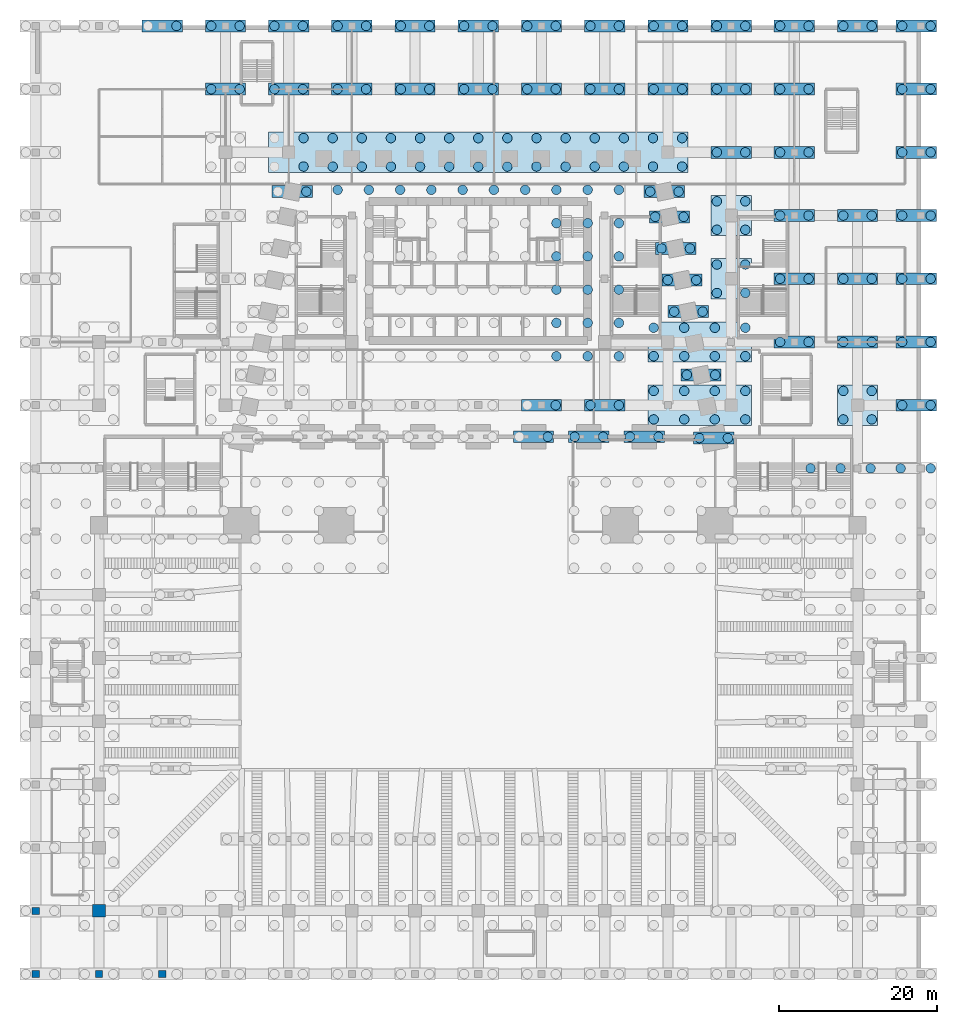
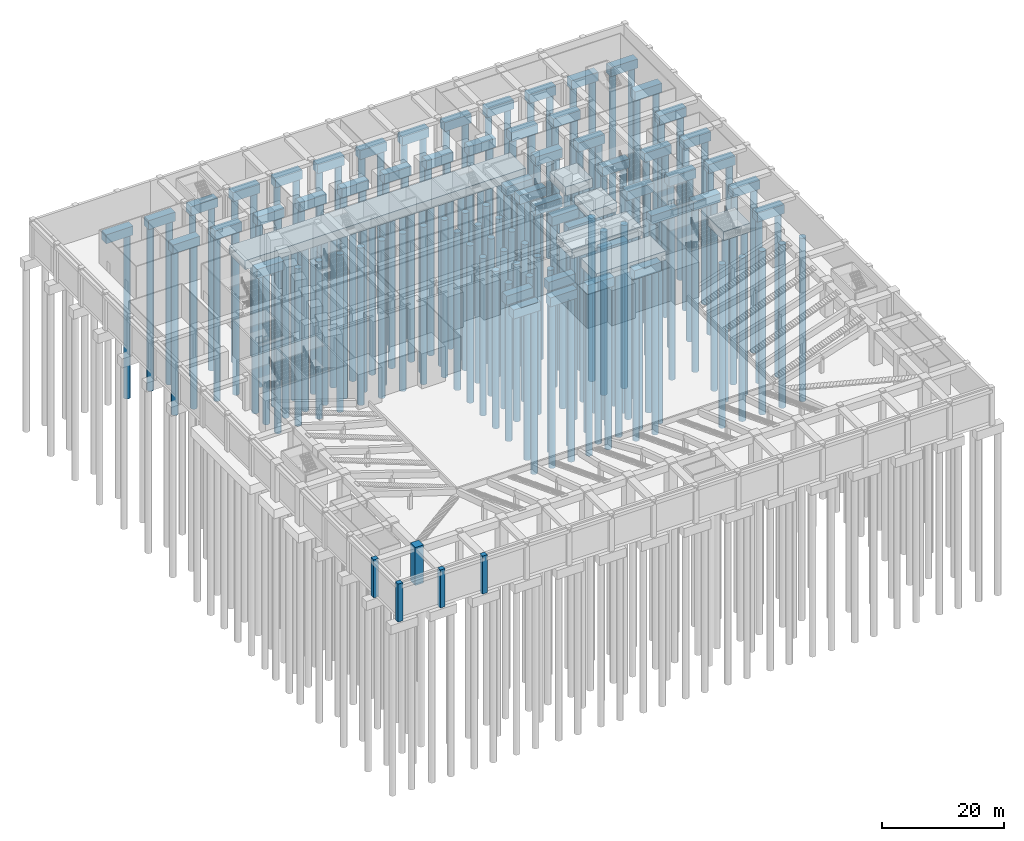
# One storey, part 3 of 30: 182 piles, 56 footings, 5 columns.
"""IFC4 building model written with IfcOpenShell, lengths in metres."""

from ifc_helpers import new_model, si_unit, direction, frame, origin, origin_2d, place, context, subcontext, project, spatial, rectangle, circle, extrude, material, material_profile, profile_set, type_object, element, save


model = new_model("IFC4")

# Units and contexts
model_context = context("Model", 3, precision=1e-05, world=origin(), true_north=direction((0.0, 1.0)))
body_context = subcontext(model_context, "Body", "Model", "MODEL_VIEW")
ifc_project = project(units=[si_unit("LENGTHUNIT", "METRE"), si_unit("AREAUNIT", "SQUARE_METRE"), si_unit("VOLUMEUNIT", "CUBIC_METRE"), si_unit("PLANEANGLEUNIT", "RADIAN"), si_unit("MASSUNIT", "GRAM", prefix="KILO")], contexts=[model_context])

# Site, building, storey
site_placement = place(None, origin())
site = spatial("IfcSite", under=ifc_project, at=site_placement, CompositionType="ELEMENT")
building_placement = place(site_placement, origin())
building = spatial("IfcBuilding", under=site, at=building_placement, Name="Isbrekke Arena Tower", CompositionType="ELEMENT")
storey_placement = place(building_placement, frame((0.0, 0.0, -7.0)))
storey = spatial("IfcBuildingStorey", under=building, at=storey_placement, Name="B1", CompositionType="ELEMENT", Elevation=-7.0)

# Piles
ifc_material_1 = material(Name="Concrete B45 (C45/55)", Category="concrete")
ifc_material_profile_1 = material_profile(ifc_material_1, circle(Radius=0.60009765625, at=origin_2d()), Name="BORED PILE D1200")
ifc_profile_set_1 = profile_set([ifc_material_profile_1], Name="Concrete B45 (C45/55)")
pile_type = type_object("IfcPileType", Name="P1 BORED PILE 1200", PredefinedType="BORED", material=ifc_profile_set_1)
for number, where, z_axis, x_axis, name in (
    (1, (42.050048828125, -10.0, -2.300048828125), (0.0, 0.0, -1.0), (1.0, 0.0, 0.0), "P1 pile CAP-063 1.5"),
    (2, (45.85009765625, -10.0, -2.300048828125), (0.0, 0.0, -1.0), (1.0, 0.0, 0.0), "P1 pile CAP-063 2.5"),
    (3, (49.64990234375, -10.0, -2.300048828125), (0.0, 0.0, -1.0), (1.0, 0.0, 0.0), "P1 pile CAP-063 3.5"),
    (4, (53.449951171875, -10.0, -2.300048828125), (0.0, 0.0, -1.0), (1.0, 0.0, 0.0), "P1 pile CAP-063 4.5"),
    (5, (57.25, -10.0, -2.300048828125), (0.0, 0.0, -1.0), (1.0, 0.0, 0.0), "P1 pile CAP-063 5.5"),
    (6, (27.990966796875, -6.161865234375, -2.300048828125), (0.0, 0.0, -1.0), (1.0, 0.0, 0.0), "P1 pile CAP-069 1.1"),
    (7, (31.591064453125, -6.161865234375, -2.300048828125), (0.0, 0.0, -1.0), (1.0, 0.0, 0.0), "P1 pile CAP-069 2.1"),
    (8, (8.800048828125, -6.0, -2.300048828125), (0.0, 0.0, -1.0), (1.0, 0.0, 0.0), "P1 pile CAP-074 2.1"),
    (9, (12.199951171875, -6.0, -2.300048828125), (0.0, 0.0, -1.0), (1.0, 0.0, 0.0), "P1 pile CAP-075 1.1"),
    (10, (15.800048828125, -6.0, -2.300048828125), (0.0, 0.0, -1.0), (1.0, 0.0, 0.0), "P1 pile CAP-075 2.1"),
    (11, (19.199951171875, -6.0, -2.300048828125), (0.0, 0.0, -1.0), (1.0, 0.0, 0.0), "P1 pile CAP-076 1.1"),
    (12, (22.800048828125, -6.0, -2.300048828125), (0.0, 0.0, -1.0), (1.0, 0.0, 0.0), "P1 pile CAP-076 2.1"),
    (13, (22.199951171875, -3.800048828125, -2.300048828125), (0.0, 0.0, -1.0), (1.0, 0.0, 0.0), "P1 pile CAP-079 1.1"),
    (14, (22.199951171875, -0.199951171875, -2.300048828125), (0.0, 0.0, -1.0), (1.0, 0.0, 0.0), "P1 pile CAP-079 1.2"),
    (15, (26.066650390625, -3.800048828125, -2.300048828125), (0.0, 0.0, -1.0), (1.0, 0.0, 0.0), "P1 pile CAP-079 2.1"),
    (16, (26.066650390625, -0.199951171875, -2.300048828125), (0.0, 0.0, -1.0), (1.0, 0.0, 0.0), "P1 pile CAP-079 2.2"),
    (17, (29.933349609375, -3.800048828125, -2.300048828125), (0.0, 0.0, -1.0), (1.0, 0.0, 0.0), "P1 pile CAP-079 3.1"),
    (18, (29.933349609375, -0.199951171875, -2.300048828125), (0.0, 0.0, -1.0), (1.0, 0.0, 0.0), "P1 pile CAP-079 3.2"),
    (19, (33.800048828125, -3.800048828125, -2.300048828125), (0.0, 0.0, -1.0), (1.0, 0.0, 0.0), "P1 pile CAP-079 4.1"),
    (20, (33.800048828125, -0.199951171875, -2.300048828125), (0.0, 0.0, -1.0), (1.0, 0.0, 0.0), "P1 pile CAP-079 4.2"),
    (21, (46.199951171875, -3.800048828125, -2.300048828125), (0.0, 0.0, -1.0), (1.0, 0.0, 0.0), "P1 pile CAP-080 1.1"),
    (22, (46.199951171875, -0.199951171875, -2.300048828125), (0.0, 0.0, -1.0), (1.0, 0.0, 0.0), "P1 pile CAP-080 1.2"),
    (23, (49.800048828125, -3.800048828125, -2.300048828125), (0.0, 0.0, -1.0), (1.0, 0.0, 0.0), "P1 pile CAP-080 2.1"),
    (24, (49.800048828125, -0.199951171875, -2.300048828125), (0.0, 0.0, -1.0), (1.0, 0.0, 0.0), "P1 pile CAP-080 2.2"),
    (25, (9.800048828125, -2.0, -2.300048828125), (0.0, 0.0, -1.0), (1.0, 0.0, 0.0), "P1 pile CAP-085 2.1"),
    (26, (14.199951171875, -2.0, -2.300048828125), (0.0, 0.0, -1.0), (1.0, 0.0, 0.0), "P1 pile CAP-086 1.1"),
    (27, (17.800048828125, -2.0, -2.300048828125), (0.0, 0.0, -1.0), (1.0, 0.0, 0.0), "P1 pile CAP-086 2.1"),
    (28, (53.64990234375, -2.0, -2.300048828125), (0.0, 0.0, -1.0), (1.0, 0.0, 0.0), "P1 pile CAP-087 1.1"),
    (29, (57.25, -2.0, -2.300048828125), (0.0, 0.0, -1.0), (1.0, 0.0, 0.0), "P1 pile CAP-087 2.1"),
    (30, (26.39111328125, 1.838134765625, -2.300048828125), (0.0, 0.0, -1.0), (1.0, 0.0, 0.0), "P1 pile CAP-089 1.1"),
    (31, (29.990966796875, 1.838134765625, -2.300048828125), (0.0, 0.0, -1.0), (1.0, 0.0, 0.0), "P1 pile CAP-089 2.1"),
):
    element("IfcPile", number, at=place(storey_placement, frame(where, z_axis=z_axis, x_axis=x_axis)), inside=storey, type_object=pile_type, Name=name, PredefinedType="BORED", context=body_context, shape_type="SweptSolid", body=[
        extrude(circle(Radius=0.60009765625, at=origin_2d()), origin(), (0.0, 0.0, 1.0), 32.699951171875),
    ])
for number, where, z_axis, x_axis, name in (
    (32, (-17.800048828125, 25.25, -3.5), (0.0, 0.0, -1.0), (1.0, 0.0, 0.0), "P1 pile CAP-092 1.6"),
    (33, (-13.844482421875, 25.25, -3.5), (0.0, 0.0, -1.0), (1.0, 0.0, 0.0), "P1 pile CAP-092 2.6"),
    (34, (-9.888916015625, 25.25, -3.5), (0.0, 0.0, -1.0), (1.0, 0.0, 0.0), "P1 pile CAP-092 3.6"),
    (35, (-5.933349609375, 25.25, -3.5), (0.0, 0.0, -1.0), (1.0, 0.0, 0.0), "P1 pile CAP-092 4.6"),
    (36, (-1.977783203125, 25.25, -3.5), (0.0, 0.0, -1.0), (1.0, 0.0, 0.0), "P1 pile CAP-092 5.6"),
    (37, (1.977783203125, 25.25, -3.5), (0.0, 0.0, -1.0), (1.0, 0.0, 0.0), "P1 pile CAP-092 6.6"),
    (38, (5.933349609375, 25.25, -3.5), (0.0, 0.0, -1.0), (1.0, 0.0, 0.0), "P1 pile CAP-092 7.6"),
    (39, (9.888916015625, 4.199951171875, -3.5), (0.0, 0.0, -1.0), (1.0, 0.0, 0.0), "P1 pile CAP-092 8.1"),
    (40, (9.888916015625, 8.409912109375, -3.5), (0.0, 0.0, -1.0), (1.0, 0.0, 0.0), "P1 pile CAP-092 8.2"),
    (41, (9.888916015625, 12.6201171875, -3.5), (0.0, 0.0, -1.0), (1.0, 0.0, 0.0), "P1 pile CAP-092 8.3"),
    (42, (9.888916015625, 16.830078125, -3.5), (0.0, 0.0, -1.0), (1.0, 0.0, 0.0), "P1 pile CAP-092 8.4"),
    (43, (9.888916015625, 21.0400390625, -3.5), (0.0, 0.0, -1.0), (1.0, 0.0, 0.0), "P1 pile CAP-092 8.5"),
    (44, (9.888916015625, 25.25, -3.5), (0.0, 0.0, -1.0), (1.0, 0.0, 0.0), "P1 pile CAP-092 8.6"),
    (45, (13.844482421875, 4.199951171875, -3.5), (0.0, 0.0, -1.0), (1.0, 0.0, 0.0), "P1 pile CAP-092 9.1"),
    (46, (13.844482421875, 8.409912109375, -3.5), (0.0, 0.0, -1.0), (1.0, 0.0, 0.0), "P1 pile CAP-092 9.2"),
    (47, (13.844482421875, 12.6201171875, -3.5), (0.0, 0.0, -1.0), (1.0, 0.0, 0.0), "P1 pile CAP-092 9.3"),
    (48, (13.844482421875, 16.830078125, -3.5), (0.0, 0.0, -1.0), (1.0, 0.0, 0.0), "P1 pile CAP-092 9.4"),
    (49, (13.844482421875, 21.0400390625, -3.5), (0.0, 0.0, -1.0), (1.0, 0.0, 0.0), "P1 pile CAP-092 9.5"),
    (50, (13.844482421875, 25.25, -3.5), (0.0, 0.0, -1.0), (1.0, 0.0, 0.0), "P1 pile CAP-092 9.6"),
    (51, (17.800048828125, 4.199951171875, -3.5), (0.0, 0.0, -1.0), (1.0, 0.0, 0.0), "P1 pile CAP-092 10.1"),
    (52, (17.800048828125, 8.409912109375, -3.5), (0.0, 0.0, -1.0), (1.0, 0.0, 0.0), "P1 pile CAP-092 10.2"),
    (53, (17.800048828125, 12.6201171875, -3.5), (0.0, 0.0, -1.0), (1.0, 0.0, 0.0), "P1 pile CAP-092 10.3"),
    (54, (17.800048828125, 16.830078125, -3.5), (0.0, 0.0, -1.0), (1.0, 0.0, 0.0), "P1 pile CAP-092 10.4"),
    (55, (17.800048828125, 21.0400390625, -3.5), (0.0, 0.0, -1.0), (1.0, 0.0, 0.0), "P1 pile CAP-092 10.5"),
    (56, (17.800048828125, 25.25, -3.5), (0.0, 0.0, -1.0), (1.0, 0.0, 0.0), "P1 pile CAP-092 10.6"),
):
    element("IfcPile", number, at=place(storey_placement, frame(where, z_axis=z_axis, x_axis=x_axis)), inside=storey, type_object=pile_type, Name=name, PredefinedType="BORED", context=body_context, shape_type="SweptSolid", body=[
        extrude(circle(Radius=0.60009765625, at=origin_2d()), origin(), (0.0, 0.0, 1.0), 31.5),
    ])
for number, where, z_axis, x_axis, name in (
    (57, (22.199951171875, 4.199951171875, -2.300048828125), (0.0, 0.0, -1.0), (1.0, 0.0, 0.0), "P1 pile CAP-093 1.1"),
    (58, (22.199951171875, 7.800048828125, -2.300048828125), (0.0, 0.0, -1.0), (1.0, 0.0, 0.0), "P1 pile CAP-093 1.2"),
    (59, (26.066650390625, 4.199951171875, -2.300048828125), (0.0, 0.0, -1.0), (1.0, 0.0, 0.0), "P1 pile CAP-093 2.1"),
    (60, (26.066650390625, 7.800048828125, -2.300048828125), (0.0, 0.0, -1.0), (1.0, 0.0, 0.0), "P1 pile CAP-093 2.2"),
    (61, (29.933349609375, 4.199951171875, -2.300048828125), (0.0, 0.0, -1.0), (1.0, 0.0, 0.0), "P1 pile CAP-093 3.1"),
    (62, (29.933349609375, 7.800048828125, -2.300048828125), (0.0, 0.0, -1.0), (1.0, 0.0, 0.0), "P1 pile CAP-093 3.2"),
    (63, (33.800048828125, 4.199951171875, -2.300048828125), (0.0, 0.0, -1.0), (1.0, 0.0, 0.0), "P1 pile CAP-093 4.1"),
    (64, (33.800048828125, 7.800048828125, -2.300048828125), (0.0, 0.0, -1.0), (1.0, 0.0, 0.0), "P1 pile CAP-093 4.2"),
    (65, (38.199951171875, 6.0, -2.300048828125), (0.0, 0.0, -1.0), (1.0, 0.0, 0.0), "P1 pile CAP-096 1.1"),
    (66, (41.800048828125, 6.0, -2.300048828125), (0.0, 0.0, -1.0), (1.0, 0.0, 0.0), "P1 pile CAP-096 2.1"),
    (67, (46.199951171875, 6.0, -2.300048828125), (0.0, 0.0, -1.0), (1.0, 0.0, 0.0), "P1 pile CAP-097 1.1"),
    (68, (49.800048828125, 6.0, -2.300048828125), (0.0, 0.0, -1.0), (1.0, 0.0, 0.0), "P1 pile CAP-097 2.1"),
    (69, (53.64990234375, 6.0, -2.300048828125), (0.0, 0.0, -1.0), (1.0, 0.0, 0.0), "P1 pile CAP-098 1.1"),
    (70, (57.25, 6.0, -2.300048828125), (0.0, 0.0, -1.0), (1.0, 0.0, 0.0), "P1 pile CAP-098 2.1"),
    (71, (24.791015625, 9.838134765625, -2.300048828125), (0.0, 0.0, -1.0), (1.0, 0.0, 0.0), "P1 pile CAP-100 1.1"),
    (72, (28.39111328125, 9.838134765625, -2.300048828125), (0.0, 0.0, -1.0), (1.0, 0.0, 0.0), "P1 pile CAP-100 2.1"),
    (73, (30.199951171875, 12.199951171875, -2.300048828125), (0.0, 0.0, -1.0), (1.0, 0.0, 0.0), "P1 pile CAP-101 1.1"),
    (74, (30.199951171875, 15.800048828125, -2.300048828125), (0.0, 0.0, -1.0), (1.0, 0.0, 0.0), "P1 pile CAP-101 1.2"),
    (75, (33.800048828125, 12.199951171875, -2.300048828125), (0.0, 0.0, -1.0), (1.0, 0.0, 0.0), "P1 pile CAP-101 2.1"),
    (76, (33.800048828125, 15.800048828125, -2.300048828125), (0.0, 0.0, -1.0), (1.0, 0.0, 0.0), "P1 pile CAP-101 2.2"),
    (77, (23.990966796875, 13.838134765625, -2.300048828125), (0.0, 0.0, -1.0), (1.0, 0.0, 0.0), "P1 pile CAP-103 1.1"),
    (78, (27.591064453125, 13.838134765625, -2.300048828125), (0.0, 0.0, -1.0), (1.0, 0.0, 0.0), "P1 pile CAP-103 2.1"),
    (79, (38.199951171875, 14.0, -2.300048828125), (0.0, 0.0, -1.0), (1.0, 0.0, 0.0), "P1 pile CAP-106 1.1"),
    (80, (41.800048828125, 14.0, -2.300048828125), (0.0, 0.0, -1.0), (1.0, 0.0, 0.0), "P1 pile CAP-106 2.1"),
    (81, (46.199951171875, 14.0, -2.300048828125), (0.0, 0.0, -1.0), (1.0, 0.0, 0.0), "P1 pile CAP-107 1.1"),
    (82, (49.800048828125, 14.0, -2.300048828125), (0.0, 0.0, -1.0), (1.0, 0.0, 0.0), "P1 pile CAP-107 2.1"),
    (83, (53.64990234375, 14.0, -2.300048828125), (0.0, 0.0, -1.0), (1.0, 0.0, 0.0), "P1 pile CAP-108 1.1"),
    (84, (57.25, 14.0, -2.300048828125), (0.0, 0.0, -1.0), (1.0, 0.0, 0.0), "P1 pile CAP-108 2.1"),
    (85, (23.19091796875, 17.838134765625, -2.300048828125), (0.0, 0.0, -1.0), (1.0, 0.0, 0.0), "P1 pile CAP-110 1.1"),
    (86, (26.791015625, 17.838134765625, -2.300048828125), (0.0, 0.0, -1.0), (1.0, 0.0, 0.0), "P1 pile CAP-110 2.1"),
    (87, (30.199951171875, 20.199951171875, -2.300048828125), (0.0, 0.0, -1.0), (1.0, 0.0, 0.0), "P1 pile CAP-111 1.1"),
    (88, (30.199951171875, 23.800048828125, -2.300048828125), (0.0, 0.0, -1.0), (1.0, 0.0, 0.0), "P1 pile CAP-111 1.2"),
    (89, (33.800048828125, 20.199951171875, -2.300048828125), (0.0, 0.0, -1.0), (1.0, 0.0, 0.0), "P1 pile CAP-111 2.1"),
    (90, (33.800048828125, 23.800048828125, -2.300048828125), (0.0, 0.0, -1.0), (1.0, 0.0, 0.0), "P1 pile CAP-111 2.2"),
    (91, (22.39111328125, 21.838134765625, -2.300048828125), (0.0, 0.0, -1.0), (1.0, 0.0, 0.0), "P1 pile CAP-113 1.1"),
    (92, (25.990966796875, 21.838134765625, -2.300048828125), (0.0, 0.0, -1.0), (1.0, 0.0, 0.0), "P1 pile CAP-113 2.1"),
    (93, (38.199951171875, 22.0, -2.300048828125), (0.0, 0.0, -1.0), (1.0, 0.0, 0.0), "P1 pile CAP-116 1.1"),
    (94, (41.800048828125, 22.0, -2.300048828125), (0.0, 0.0, -1.0), (1.0, 0.0, 0.0), "P1 pile CAP-116 2.1"),
    (95, (46.199951171875, 22.0, -2.300048828125), (0.0, 0.0, -1.0), (1.0, 0.0, 0.0), "P1 pile CAP-117 1.1"),
    (96, (49.800048828125, 22.0, -2.300048828125), (0.0, 0.0, -1.0), (1.0, 0.0, 0.0), "P1 pile CAP-117 2.1"),
    (97, (53.64990234375, 22.0, -2.300048828125), (0.0, 0.0, -1.0), (1.0, 0.0, 0.0), "P1 pile CAP-118 1.1"),
    (98, (57.25, 22.0, -2.300048828125), (0.0, 0.0, -1.0), (1.0, 0.0, 0.0), "P1 pile CAP-118 2.1"),
    (99, (-21.7529296875, 25.029296875, -2.300048828125), (0.0, 0.0, -1.0), (1.0, 0.0, 0.0), "P1 pile CAP-119 2.1"),
    (100, (21.7529296875, 25.029296875, -2.300048828125), (0.0, 0.0, -1.0), (1.0, 0.0, 0.0), "P1 pile CAP-120 1.1"),
    (101, (25.352783203125, 25.029296875, -2.300048828125), (0.0, 0.0, -1.0), (1.0, 0.0, 0.0), "P1 pile CAP-120 2.1"),
    (102, (-22.1142578125, 28.199951171875, -2.300048828125), (0.0, 0.0, -1.0), (1.0, 0.0, 0.0), "P1 pile CAP-122 2.1"),
    (103, (-22.1142578125, 31.800048828125, -2.300048828125), (0.0, 0.0, -1.0), (1.0, 0.0, 0.0), "P1 pile CAP-122 2.2"),
    (104, (-18.428466796875, 28.199951171875, -2.300048828125), (0.0, 0.0, -1.0), (1.0, 0.0, 0.0), "P1 pile CAP-122 3.1"),
    (105, (-18.428466796875, 31.800048828125, -2.300048828125), (0.0, 0.0, -1.0), (1.0, 0.0, 0.0), "P1 pile CAP-122 3.2"),
    (106, (-14.742919921875, 28.199951171875, -2.300048828125), (0.0, 0.0, -1.0), (1.0, 0.0, 0.0), "P1 pile CAP-122 4.1"),
    (107, (-14.742919921875, 31.800048828125, -2.300048828125), (0.0, 0.0, -1.0), (1.0, 0.0, 0.0), "P1 pile CAP-122 4.2"),
    (108, (-11.05712890625, 28.199951171875, -2.300048828125), (0.0, 0.0, -1.0), (1.0, 0.0, 0.0), "P1 pile CAP-122 5.1"),
    (109, (-11.05712890625, 31.800048828125, -2.300048828125), (0.0, 0.0, -1.0), (1.0, 0.0, 0.0), "P1 pile CAP-122 5.2"),
    (110, (-7.371337890625, 28.199951171875, -2.300048828125), (0.0, 0.0, -1.0), (1.0, 0.0, 0.0), "P1 pile CAP-122 6.1"),
    (111, (-7.371337890625, 31.800048828125, -2.300048828125), (0.0, 0.0, -1.0), (1.0, 0.0, 0.0), "P1 pile CAP-122 6.2"),
    (112, (-3.685791015625, 28.199951171875, -2.300048828125), (0.0, 0.0, -1.0), (1.0, 0.0, 0.0), "P1 pile CAP-122 7.1"),
    (113, (-3.685791015625, 31.800048828125, -2.300048828125), (0.0, 0.0, -1.0), (1.0, 0.0, 0.0), "P1 pile CAP-122 7.2"),
    (114, (0.0, 28.199951171875, -2.300048828125), (0.0, 0.0, -1.0), (1.0, 0.0, 0.0), "P1 pile CAP-122 8.1"),
    (115, (0.0, 31.800048828125, -2.300048828125), (0.0, 0.0, -1.0), (1.0, 0.0, 0.0), "P1 pile CAP-122 8.2"),
    (116, (3.685791015625, 28.199951171875, -2.300048828125), (0.0, 0.0, -1.0), (1.0, 0.0, 0.0), "P1 pile CAP-122 9.1"),
    (117, (3.685791015625, 31.800048828125, -2.300048828125), (0.0, 0.0, -1.0), (1.0, 0.0, 0.0), "P1 pile CAP-122 9.2"),
    (118, (7.371337890625, 28.199951171875, -2.300048828125), (0.0, 0.0, -1.0), (1.0, 0.0, 0.0), "P1 pile CAP-122 10.1"),
    (119, (7.371337890625, 31.800048828125, -2.300048828125), (0.0, 0.0, -1.0), (1.0, 0.0, 0.0), "P1 pile CAP-122 10.2"),
    (120, (11.05712890625, 28.199951171875, -2.300048828125), (0.0, 0.0, -1.0), (1.0, 0.0, 0.0), "P1 pile CAP-122 11.1"),
    (121, (11.05712890625, 31.800048828125, -2.300048828125), (0.0, 0.0, -1.0), (1.0, 0.0, 0.0), "P1 pile CAP-122 11.2"),
    (122, (14.742919921875, 28.199951171875, -2.300048828125), (0.0, 0.0, -1.0), (1.0, 0.0, 0.0), "P1 pile CAP-122 12.1"),
    (123, (14.742919921875, 31.800048828125, -2.300048828125), (0.0, 0.0, -1.0), (1.0, 0.0, 0.0), "P1 pile CAP-122 12.2"),
    (124, (18.428466796875, 28.199951171875, -2.300048828125), (0.0, 0.0, -1.0), (1.0, 0.0, 0.0), "P1 pile CAP-122 13.1"),
    (125, (18.428466796875, 31.800048828125, -2.300048828125), (0.0, 0.0, -1.0), (1.0, 0.0, 0.0), "P1 pile CAP-122 13.2"),
    (126, (22.1142578125, 28.199951171875, -2.300048828125), (0.0, 0.0, -1.0), (1.0, 0.0, 0.0), "P1 pile CAP-122 14.1"),
    (127, (22.1142578125, 31.800048828125, -2.300048828125), (0.0, 0.0, -1.0), (1.0, 0.0, 0.0), "P1 pile CAP-122 14.2"),
    (128, (25.800048828125, 28.199951171875, -2.300048828125), (0.0, 0.0, -1.0), (1.0, 0.0, 0.0), "P1 pile CAP-122 15.1"),
    (129, (25.800048828125, 31.800048828125, -2.300048828125), (0.0, 0.0, -1.0), (1.0, 0.0, 0.0), "P1 pile CAP-122 15.2"),
    (130, (30.199951171875, 30.0, -2.300048828125), (0.0, 0.0, -1.0), (1.0, 0.0, 0.0), "P1 pile CAP-124 1.1"),
    (131, (33.800048828125, 30.0, -2.300048828125), (0.0, 0.0, -1.0), (1.0, 0.0, 0.0), "P1 pile CAP-124 2.1"),
    (132, (38.199951171875, 30.0, -2.300048828125), (0.0, 0.0, -1.0), (1.0, 0.0, 0.0), "P1 pile CAP-125 1.1"),
    (133, (41.800048828125, 30.0, -2.300048828125), (0.0, 0.0, -1.0), (1.0, 0.0, 0.0), "P1 pile CAP-125 2.1"),
    (134, (53.64990234375, 30.0, -2.300048828125), (0.0, 0.0, -1.0), (1.0, 0.0, 0.0), "P1 pile CAP-126 1.1"),
    (135, (57.25, 30.0, -2.300048828125), (0.0, 0.0, -1.0), (1.0, 0.0, 0.0), "P1 pile CAP-126 2.1"),
    (136, (-33.800048828125, 38.0, -2.300048828125), (0.0, 0.0, -1.0), (1.0, 0.0, 0.0), "P1 pile CAP-128 1.1"),
    (137, (-30.199951171875, 38.0, -2.300048828125), (0.0, 0.0, -1.0), (1.0, 0.0, 0.0), "P1 pile CAP-128 2.1"),
    (138, (-25.800048828125, 38.0, -2.300048828125), (0.0, 0.0, -1.0), (1.0, 0.0, 0.0), "P1 pile CAP-129 1.1"),
    (139, (-22.199951171875, 38.0, -2.300048828125), (0.0, 0.0, -1.0), (1.0, 0.0, 0.0), "P1 pile CAP-129 2.1"),
    (140, (-17.800048828125, 38.0, -2.300048828125), (0.0, 0.0, -1.0), (1.0, 0.0, 0.0), "P1 pile CAP-130 1.1"),
    (141, (-14.199951171875, 38.0, -2.300048828125), (0.0, 0.0, -1.0), (1.0, 0.0, 0.0), "P1 pile CAP-130 2.1"),
    (142, (-9.800048828125, 38.0, -2.300048828125), (0.0, 0.0, -1.0), (1.0, 0.0, 0.0), "P1 pile CAP-131 1.1"),
    (143, (-6.199951171875, 38.0, -2.300048828125), (0.0, 0.0, -1.0), (1.0, 0.0, 0.0), "P1 pile CAP-131 2.1"),
    (144, (-1.800048828125, 38.0, -2.300048828125), (0.0, 0.0, -1.0), (1.0, 0.0, 0.0), "P1 pile CAP-132 1.1"),
    (145, (1.800048828125, 38.0, -2.300048828125), (0.0, 0.0, -1.0), (1.0, 0.0, 0.0), "P1 pile CAP-132 2.1"),
    (146, (6.199951171875, 38.0, -2.300048828125), (0.0, 0.0, -1.0), (1.0, 0.0, 0.0), "P1 pile CAP-133 1.1"),
    (147, (9.800048828125, 38.0, -2.300048828125), (0.0, 0.0, -1.0), (1.0, 0.0, 0.0), "P1 pile CAP-133 2.1"),
    (148, (14.199951171875, 38.0, -2.300048828125), (0.0, 0.0, -1.0), (1.0, 0.0, 0.0), "P1 pile CAP-134 1.1"),
    (149, (17.800048828125, 38.0, -2.300048828125), (0.0, 0.0, -1.0), (1.0, 0.0, 0.0), "P1 pile CAP-134 2.1"),
    (150, (22.199951171875, 38.0, -2.300048828125), (0.0, 0.0, -1.0), (1.0, 0.0, 0.0), "P1 pile CAP-135 1.1"),
    (151, (25.800048828125, 38.0, -2.300048828125), (0.0, 0.0, -1.0), (1.0, 0.0, 0.0), "P1 pile CAP-135 2.1"),
    (152, (30.199951171875, 38.0, -2.300048828125), (0.0, 0.0, -1.0), (1.0, 0.0, 0.0), "P1 pile CAP-136 1.1"),
    (153, (33.800048828125, 38.0, -2.300048828125), (0.0, 0.0, -1.0), (1.0, 0.0, 0.0), "P1 pile CAP-136 2.1"),
    (154, (38.199951171875, 38.0, -2.300048828125), (0.0, 0.0, -1.0), (1.0, 0.0, 0.0), "P1 pile CAP-137 1.1"),
    (155, (41.800048828125, 38.0, -2.300048828125), (0.0, 0.0, -1.0), (1.0, 0.0, 0.0), "P1 pile CAP-137 2.1"),
    (156, (53.64990234375, 38.0, -2.300048828125), (0.0, 0.0, -1.0), (1.0, 0.0, 0.0), "P1 pile CAP-138 1.1"),
    (157, (57.25, 38.0, -2.300048828125), (0.0, 0.0, -1.0), (1.0, 0.0, 0.0), "P1 pile CAP-138 2.1"),
    (158, (-38.199951171875, 46.0, -2.300048828125), (0.0, 0.0, -1.0), (1.0, 0.0, 0.0), "P1 pile CAP-141 2.1"),
    (159, (-33.800048828125, 46.0, -2.300048828125), (0.0, 0.0, -1.0), (1.0, 0.0, 0.0), "P1 pile CAP-142 1.1"),
    (160, (-30.199951171875, 46.0, -2.300048828125), (0.0, 0.0, -1.0), (1.0, 0.0, 0.0), "P1 pile CAP-142 2.1"),
    (161, (-25.800048828125, 46.0, -2.300048828125), (0.0, 0.0, -1.0), (1.0, 0.0, 0.0), "P1 pile CAP-143 1.1"),
    (162, (-22.199951171875, 46.0, -2.300048828125), (0.0, 0.0, -1.0), (1.0, 0.0, 0.0), "P1 pile CAP-143 2.1"),
    (163, (-17.800048828125, 46.0, -2.300048828125), (0.0, 0.0, -1.0), (1.0, 0.0, 0.0), "P1 pile CAP-144 1.1"),
    (164, (-14.199951171875, 46.0, -2.300048828125), (0.0, 0.0, -1.0), (1.0, 0.0, 0.0), "P1 pile CAP-144 2.1"),
    (165, (-9.800048828125, 46.0, -2.300048828125), (0.0, 0.0, -1.0), (1.0, 0.0, 0.0), "P1 pile CAP-145 1.1"),
    (166, (-6.199951171875, 46.0, -2.300048828125), (0.0, 0.0, -1.0), (1.0, 0.0, 0.0), "P1 pile CAP-145 2.1"),
    (167, (-1.800048828125, 46.0, -2.300048828125), (0.0, 0.0, -1.0), (1.0, 0.0, 0.0), "P1 pile CAP-146 1.1"),
    (168, (1.800048828125, 46.0, -2.300048828125), (0.0, 0.0, -1.0), (1.0, 0.0, 0.0), "P1 pile CAP-146 2.1"),
    (169, (6.199951171875, 46.0, -2.300048828125), (0.0, 0.0, -1.0), (1.0, 0.0, 0.0), "P1 pile CAP-147 1.1"),
    (170, (9.800048828125, 46.0, -2.300048828125), (0.0, 0.0, -1.0), (1.0, 0.0, 0.0), "P1 pile CAP-147 2.1"),
    (171, (14.199951171875, 46.0, -2.300048828125), (0.0, 0.0, -1.0), (1.0, 0.0, 0.0), "P1 pile CAP-148 1.1"),
    (172, (17.800048828125, 46.0, -2.300048828125), (0.0, 0.0, -1.0), (1.0, 0.0, 0.0), "P1 pile CAP-148 2.1"),
    (173, (22.199951171875, 46.0, -2.300048828125), (0.0, 0.0, -1.0), (1.0, 0.0, 0.0), "P1 pile CAP-149 1.1"),
    (174, (25.800048828125, 46.0, -2.300048828125), (0.0, 0.0, -1.0), (1.0, 0.0, 0.0), "P1 pile CAP-149 2.1"),
    (175, (30.199951171875, 46.0, -2.300048828125), (0.0, 0.0, -1.0), (1.0, 0.0, 0.0), "P1 pile CAP-150 1.1"),
    (176, (33.800048828125, 46.0, -2.300048828125), (0.0, 0.0, -1.0), (1.0, 0.0, 0.0), "P1 pile CAP-150 2.1"),
    (177, (38.199951171875, 46.0, -2.300048828125), (0.0, 0.0, -1.0), (1.0, 0.0, 0.0), "P1 pile CAP-151 1.1"),
    (178, (41.800048828125, 46.0, -2.300048828125), (0.0, 0.0, -1.0), (1.0, 0.0, 0.0), "P1 pile CAP-151 2.1"),
    (179, (46.199951171875, 46.0, -2.300048828125), (0.0, 0.0, -1.0), (1.0, 0.0, 0.0), "P1 pile CAP-152 1.1"),
    (180, (49.800048828125, 46.0, -2.300048828125), (0.0, 0.0, -1.0), (1.0, 0.0, 0.0), "P1 pile CAP-152 2.1"),
    (181, (53.64990234375, 46.0, -2.300048828125), (0.0, 0.0, -1.0), (1.0, 0.0, 0.0), "P1 pile CAP-153 1.1"),
    (182, (57.25, 46.0, -2.300048828125), (0.0, 0.0, -1.0), (1.0, 0.0, 0.0), "P1 pile CAP-153 2.1"),
):
    element("IfcPile", number, at=place(storey_placement, frame(where, z_axis=z_axis, x_axis=x_axis)), inside=storey, type_object=pile_type, Name=name, PredefinedType="BORED", context=body_context, shape_type="SweptSolid", body=[
        extrude(circle(Radius=0.60009765625, at=origin_2d()), origin(), (0.0, 0.0, 1.0), 32.699951171875),
    ])

# Footings
ifc_material_2 = material(Name="Concrete B45 (C45/55)", Category="concrete")
footing_type_1 = type_object("IfcFootingType", Name="PC1 PILE CAP 5100 x 1500 x 1800", PredefinedType="PILE_CAP", material=ifc_material_2)
for number, where, z_axis, x_axis, name in (
    (183, (29.791015625, -6.161865234375, -2.39990234375), (0.0, 0.0, 1.0), (1.0, 0.0, 0.0), "PC1 pile cap E03"),
    (184, (7.0, -6.0, -2.39990234375), (0.0, 0.0, 1.0), (1.0, 0.0, 0.0), "PC1 pile cap I05"),
    (185, (14.0, -6.0, -2.39990234375), (0.0, 0.0, 1.0), (1.0, 0.0, 0.0), "PC1 pile cap I06"),
    (186, (21.0, -6.0, -2.39990234375), (0.0, 0.0, 1.0), (1.0, 0.0, 0.0), "PC1 pile cap I07"),
    (187, (8.0, -2.0, -2.39990234375), (0.0, 0.0, 1.0), (1.0, 0.0, 0.0), "PC1 pile cap PJ9"),
    (188, (16.0, -2.0, -2.39990234375), (0.0, 0.0, 1.0), (1.0, 0.0, 0.0), "PC1 pile cap PJ10"),
    (189, (55.449951171875, -2.0, -2.39990234375), (0.0, 0.0, 1.0), (1.0, 0.0, 0.0), "PC1 pile cap PJ15"),
    (190, (28.19091796875, 1.838134765625, -2.39990234375), (0.0, 0.0, 1.0), (1.0, 0.0, 0.0), "PC1 pile cap E05"),
    (191, (40.0, 6.0, -2.39990234375), (0.0, 0.0, 1.0), (1.0, 0.0, 0.0), "PC1 pile cap PK13"),
    (192, (48.0, 6.0, -2.39990234375), (0.0, 0.0, 1.0), (1.0, 0.0, 0.0), "PC1 pile cap PK14"),
    (193, (55.449951171875, 6.0, -2.39990234375), (0.0, 0.0, 1.0), (1.0, 0.0, 0.0), "PC1 pile cap PK15"),
    (194, (26.591064453125, 9.838134765625, -2.39990234375), (0.0, 0.0, 1.0), (1.0, 0.0, 0.0), "PC1 pile cap E07"),
    (195, (25.791015625, 13.838134765625, -2.39990234375), (0.0, 0.0, 1.0), (1.0, 0.0, 0.0), "PC1 pile cap E08"),
    (196, (40.0, 14.0, -2.39990234375), (0.0, 0.0, 1.0), (1.0, 0.0, 0.0), "PC1 pile cap PL13"),
    (197, (48.0, 14.0, -2.39990234375), (0.0, 0.0, 1.0), (1.0, 0.0, 0.0), "PC1 pile cap PL14"),
    (198, (55.449951171875, 14.0, -2.39990234375), (0.0, 0.0, 1.0), (1.0, 0.0, 0.0), "PC1 pile cap PL15"),
    (199, (24.990966796875, 17.838134765625, -2.39990234375), (0.0, 0.0, 1.0), (1.0, 0.0, 0.0), "PC1 pile cap E09"),
    (200, (24.19091796875, 21.838134765625, -2.39990234375), (0.0, 0.0, 1.0), (1.0, 0.0, 0.0), "PC1 pile cap E10"),
    (201, (40.0, 22.0, -2.39990234375), (0.0, 0.0, 1.0), (1.0, 0.0, 0.0), "PC1 pile cap PM13"),
    (202, (48.0, 22.0, -2.39990234375), (0.0, 0.0, 1.0), (1.0, 0.0, 0.0), "PC1 pile cap PM14"),
    (203, (55.449951171875, 22.0, -2.39990234375), (0.0, 0.0, 1.0), (1.0, 0.0, 0.0), "PC1 pile cap PM15"),
    (204, (-23.552734375, 25.029296875, -2.39990234375), (0.0, 0.0, 1.0), (1.0, 0.0, 0.0), "PC1 pile cap W01"),
    (205, (23.552734375, 25.029296875, -2.39990234375), (0.0, 0.0, 1.0), (1.0, 0.0, 0.0), "PC1 pile cap E11"),
    (206, (32.0, 30.0, -2.39990234375), (0.0, 0.0, 1.0), (1.0, 0.0, 0.0), "PC1 pile cap PN12"),
    (207, (40.0, 30.0, -2.39990234375), (0.0, 0.0, 1.0), (1.0, 0.0, 0.0), "PC1 pile cap PN13"),
    (208, (55.449951171875, 30.0, -2.39990234375), (0.0, 0.0, 1.0), (1.0, 0.0, 0.0), "PC1 pile cap PN15"),
    (209, (-32.0, 38.0, -2.39990234375), (0.0, 0.0, 1.0), (1.0, 0.0, 0.0), "PC1 pile cap PO4"),
    (210, (-24.0, 38.0, -2.39990234375), (0.0, 0.0, 1.0), (1.0, 0.0, 0.0), "PC1 pile cap PO5"),
    (211, (-16.0, 38.0, -2.39990234375), (0.0, 0.0, 1.0), (1.0, 0.0, 0.0), "PC1 pile cap PO6"),
    (212, (-8.0, 38.0, -2.39990234375), (0.0, 0.0, 1.0), (1.0, 0.0, 0.0), "PC1 pile cap PO7"),
    (213, (0.0, 38.0, -2.39990234375), (0.0, 0.0, 1.0), (1.0, 0.0, 0.0), "PC1 pile cap PO8"),
    (214, (8.0, 38.0, -2.39990234375), (0.0, 0.0, 1.0), (1.0, 0.0, 0.0), "PC1 pile cap PO9"),
    (215, (16.0, 38.0, -2.39990234375), (0.0, 0.0, 1.0), (1.0, 0.0, 0.0), "PC1 pile cap PO10"),
    (216, (24.0, 38.0, -2.39990234375), (0.0, 0.0, 1.0), (1.0, 0.0, 0.0), "PC1 pile cap PO11"),
    (217, (32.0, 38.0, -2.39990234375), (0.0, 0.0, 1.0), (1.0, 0.0, 0.0), "PC1 pile cap PO12"),
    (218, (40.0, 38.0, -2.39990234375), (0.0, 0.0, 1.0), (1.0, 0.0, 0.0), "PC1 pile cap PO13"),
    (219, (55.449951171875, 38.0, -2.39990234375), (0.0, 0.0, 1.0), (1.0, 0.0, 0.0), "PC1 pile cap PO15"),
    (220, (-40.0, 46.0, -2.39990234375), (0.0, 0.0, 1.0), (1.0, 0.0, 0.0), "PC1 pile cap PP3"),
    (221, (-32.0, 46.0, -2.39990234375), (0.0, 0.0, 1.0), (1.0, 0.0, 0.0), "PC1 pile cap PP4"),
    (222, (-24.0, 46.0, -2.39990234375), (0.0, 0.0, 1.0), (1.0, 0.0, 0.0), "PC1 pile cap PP5"),
    (223, (-16.0, 46.0, -2.39990234375), (0.0, 0.0, 1.0), (1.0, 0.0, 0.0), "PC1 pile cap PP6"),
    (224, (-8.0, 46.0, -2.39990234375), (0.0, 0.0, 1.0), (1.0, 0.0, 0.0), "PC1 pile cap PP7"),
    (225, (0.0, 46.0, -2.39990234375), (0.0, 0.0, 1.0), (1.0, 0.0, 0.0), "PC1 pile cap PP8"),
    (226, (8.0, 46.0, -2.39990234375), (0.0, 0.0, 1.0), (1.0, 0.0, 0.0), "PC1 pile cap PP9"),
    (227, (16.0, 46.0, -2.39990234375), (0.0, 0.0, 1.0), (1.0, 0.0, 0.0), "PC1 pile cap PP10"),
    (228, (24.0, 46.0, -2.39990234375), (0.0, 0.0, 1.0), (1.0, 0.0, 0.0), "PC1 pile cap PP11"),
    (229, (32.0, 46.0, -2.39990234375), (0.0, 0.0, 1.0), (1.0, 0.0, 0.0), "PC1 pile cap PP12"),
    (230, (40.0, 46.0, -2.39990234375), (0.0, 0.0, 1.0), (1.0, 0.0, 0.0), "PC1 pile cap PP13"),
    (231, (48.0, 46.0, -2.39990234375), (0.0, 0.0, 1.0), (1.0, 0.0, 0.0), "PC1 pile cap PP14"),
    (232, (55.449951171875, 46.0, -2.39990234375), (0.0, 0.0, 1.0), (1.0, 0.0, 0.0), "PC1 pile cap PP15"),
):
    element("IfcFooting", number, at=place(storey_placement, frame(where, z_axis=z_axis, x_axis=x_axis)), inside=storey, type_object=footing_type_1, Name=name, PredefinedType="PILE_CAP", context=body_context, shape_type="SweptSolid", body=[
        extrude(rectangle(XDim=5.10009765625, YDim=1.5, at=origin_2d()), origin(), (0.0, 0.0, 1.0), 1.800048828125),
    ])
ifc_material_3 = material(Name="Concrete B45 (C45/55)", Category="concrete")
footing_type_2 = type_object("IfcFootingType", Name="PC2 PILE CAP 5100 x 5100 x 1800", PredefinedType="PILE_CAP", material=ifc_material_3)
for number, where, z_axis, x_axis, name in (
    (233, (48.0, -2.0, -2.39990234375), (0.0, 0.0, 1.0), (1.0, 0.0, 0.0), "PC2 pile cap PJ14"),
    (234, (32.0, 14.0, -2.39990234375), (0.0, 0.0, 1.0), (1.0, 0.0, 0.0), "PC2 pile cap PL12"),
    (235, (32.0, 22.0, -2.39990234375), (0.0, 0.0, 1.0), (1.0, 0.0, 0.0), "PC2 pile cap PM12"),
):
    element("IfcFooting", number, at=place(storey_placement, frame(where, z_axis=z_axis, x_axis=x_axis)), inside=storey, type_object=footing_type_2, Name=name, PredefinedType="PILE_CAP", context=body_context, shape_type="SweptSolid", body=[
        extrude(rectangle(XDim=5.10009765625, YDim=5.10009765625, at=origin_2d()), origin(), (0.0, 0.0, 1.0), 1.800048828125),
    ])
ifc_material_4 = material(Name="Concrete B45 (C45/55)", Category="concrete")
footing_type_3 = type_object("IfcFootingType", Name="PC7 PILE CAP 13100 x 5100 x 1800", PredefinedType="PILE_CAP", material=ifc_material_4)
for number, where, z_axis, x_axis, name in (
    (236, (28.0, -2.0, -2.39990234375), (0.0, 0.0, 1.0), (1.0, 0.0, 0.0), "PC7 pile cap E04+PJ11+PJ12"),
    (237, (28.0, 6.0, -2.39990234375), (0.0, 0.0, 1.0), (1.0, 0.0, 0.0), "PC7 pile cap E06+PK11+PK12"),
):
    element("IfcFooting", number, at=place(storey_placement, frame(where, z_axis=z_axis, x_axis=x_axis)), inside=storey, type_object=footing_type_3, Name=name, PredefinedType="PILE_CAP", context=body_context, shape_type="SweptSolid", body=[
        extrude(rectangle(XDim=13.10009765625, YDim=5.10009765625, at=origin_2d()), origin(), (0.0, 0.0, 1.0), 1.800048828125),
    ])
ifc_material_5 = material(Name="Concrete B45 (C45/55)", Category="concrete")
footing_type_4 = type_object("IfcFootingType", Name="PC8 PILE CAP 53100 x 5100 x 1800", PredefinedType="PILE_CAP", material=ifc_material_5)
footing_placement = place(storey_placement, frame((0.0, 30.0, -2.39990234375), z_axis=(0.0, 0.0, 1.0), x_axis=(1.0, 0.0, 0.0)))
element("IfcFooting", 238, at=footing_placement, inside=storey, type_object=footing_type_4, Name="PC8 pile cap N01+N02+N03+N04+N05+N06+N07+N08+N09+N10+N11+PN5+PN11", PredefinedType="PILE_CAP", context=body_context, shape_type="SweptSolid", body=[
    extrude(rectangle(XDim=53.10009765625, YDim=5.10009765625, at=origin_2d()), origin(), (0.0, 0.0, 1.0), 1.800048828125),
])

# Columns
ifc_material_6 = material(Name="Concrete B55 (C55/67)", Category="concrete")
ifc_material_profile_2 = material_profile(ifc_material_6, rectangle(XDim=1.60009765625, YDim=1.60009765625, at=origin_2d()), Name="RC 1600x1600")
ifc_profile_set_2 = profile_set([ifc_material_profile_2], Name="Concrete B55 (C55/67)")
column_type_1 = type_object("IfcColumnType", Name="C15 RC 1600 x 1600", PredefinedType="COLUMN", material=ifc_profile_set_2)
column_placement = place(storey_placement, frame((-48.0, -66.0, -0.60009765625), z_axis=(0.0, 0.0, 1.0), x_axis=(1.0, 0.0, 0.0)))
element("IfcColumn", 239, at=column_placement, inside=storey, type_object=column_type_1, Name="C15 PB2", PredefinedType="COLUMN", context=body_context, shape_type="SweptSolid", body=[
    extrude(rectangle(XDim=1.60009765625, YDim=1.60009765625, at=origin_2d()), origin(), (0.0, 0.0, 1.0), 7.60009765625),
])
ifc_material_7 = material(Name="Concrete B55 (C55/67)", Category="concrete")
ifc_material_profile_3 = material_profile(ifc_material_7, rectangle(XDim=0.89990234375, YDim=0.89990234375, at=origin_2d()), Name="RC 900x900")
ifc_profile_set_3 = profile_set([ifc_material_profile_3], Name="Concrete B55 (C55/67)")
column_type_2 = type_object("IfcColumnType", Name="C16 RC 900 x 900", PredefinedType="COLUMN", material=ifc_profile_set_3)
for number, where, z_axis, x_axis, name in (
    (240, (-56.0, -74.0, -0.60009765625), (0.0, 0.0, 1.0), (1.0, 0.0, 0.0), "C16 PA1"),
    (241, (-56.0, -66.0, -0.60009765625), (0.0, 0.0, 1.0), (1.0, 0.0, 0.0), "C16 PB1"),
    (242, (-48.0, -74.0, -0.60009765625), (0.0, 0.0, 1.0), (1.0, 0.0, 0.0), "C16 PA2"),
    (243, (-40.0, -74.0, -0.60009765625), (0.0, 0.0, 1.0), (1.0, 0.0, 0.0), "C16 PA3"),
):
    element("IfcColumn", number, at=place(storey_placement, frame(where, z_axis=z_axis, x_axis=x_axis)), inside=storey, type_object=column_type_2, Name=name, PredefinedType="COLUMN", context=body_context, shape_type="SweptSolid", body=[
        extrude(rectangle(XDim=0.89990234375, YDim=0.89990234375, at=origin_2d()), origin(), (0.0, 0.0, 1.0), 7.60009765625),
    ])

save(model, "model.ifc")
